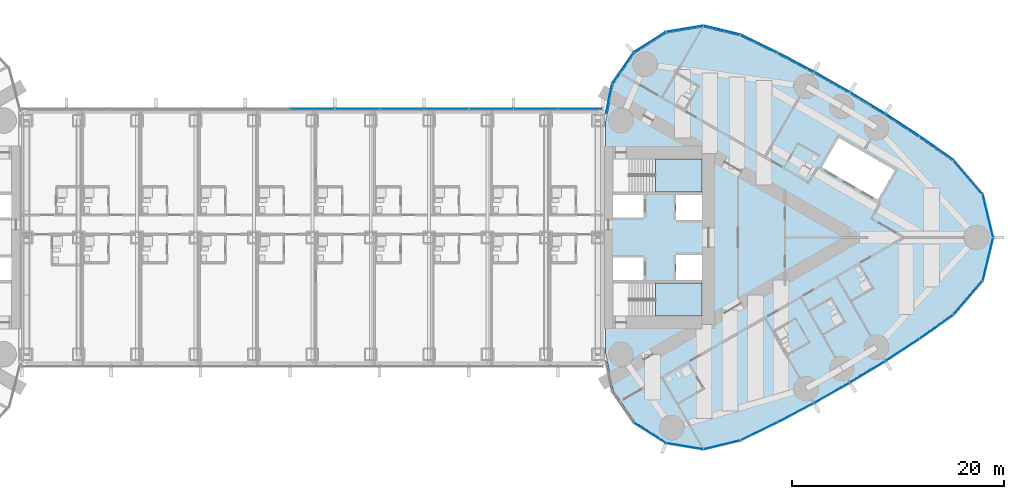
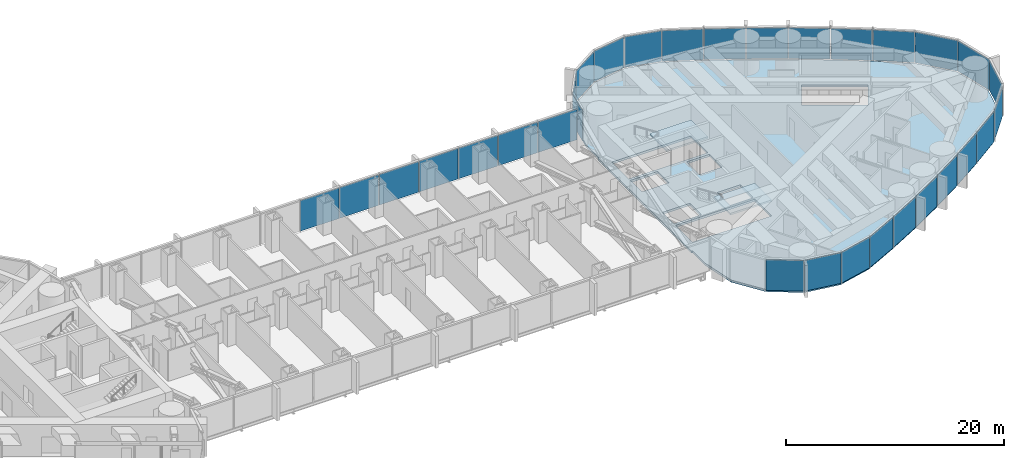
# One storey, part 13 of 23: 31 plates, 3 slabs, 4 elements without a shape of their own.
"""IFC4 building model written with IfcOpenShell, lengths in metres."""

from ifc_helpers import new_model, si_unit, direction, frame, origin, origin_2d, place, context, subcontext, project, spatial, polyline, rectangle, outline, extrude, material, layer, layer_set, type_object, element, aggregate, save


model = new_model("IFC4")

# Units and contexts
model_context = context("Model", 3, precision=1e-05, world=origin(), true_north=direction((0.0, 1.0)))
body_context = subcontext(model_context, "Body", "Model", "MODEL_VIEW")
ifc_project = project(units=[si_unit("LENGTHUNIT", "METRE"), si_unit("AREAUNIT", "SQUARE_METRE"), si_unit("VOLUMEUNIT", "CUBIC_METRE"), si_unit("PLANEANGLEUNIT", "RADIAN"), si_unit("MASSUNIT", "GRAM", prefix="KILO")], contexts=[model_context])

# Site, building, storey
site_placement = place(None, origin())
site = spatial("IfcSite", under=ifc_project, at=site_placement, CompositionType="ELEMENT")
building_placement = place(site_placement, origin())
building = spatial("IfcBuilding", under=site, at=building_placement, Name="Lancet Gate Hotel", CompositionType="ELEMENT")
storey_placement = place(building_placement, frame((0.0, 0.0, 215.300048828125)))
storey = spatial("IfcBuildingStorey", under=building, at=storey_placement, Name="L57", CompositionType="ELEMENT", Elevation=215.300048828125)

# Curtain wall, plates
ifc_material_1 = material(Name="Aluminium curtain wall", Category="aluminium")
curtain_wall_type_1 = type_object("IfcCurtainWallType", Name="Bridge block curtain wall", PredefinedType="USERDEFINED", material=ifc_material_1)
curtain_wall_1_placement = place(storey_placement, origin())
curtain_wall_1 = element("IfcCurtainWall", 1, at=curtain_wall_1_placement, inside=storey, type_object=curtain_wall_type_1, Name="Bridge block L57 curtain wall N", ObjectType="UNITISED CURTAIN WALL", PredefinedType="USERDEFINED")
ifc_material_2 = material(Name="Glass double glazed unit 8-16-6", Category="glass")
ifc_layer_1 = layer(ifc_material_2, 0.030029296875)
ifc_layer_set_1 = layer_set([ifc_layer_1], Name="Block vision panel")
plate_type_1 = type_object("IfcPlateType", Name="Block vision panel", PredefinedType="CURTAIN_PANEL", material=ifc_layer_set_1)
plate_1_placement = place(storey_placement, frame((25.24609375, 12.1201171875, 0.0), z_axis=(0.0, 0.0, 1.0), x_axis=(-1.0, 0.0, 0.0)))
plate_1 = element("IfcPlate", 2, at=plate_1_placement, type_object=plate_type_1, Name="Bridge block L57 curtain wall N panel 1", PredefinedType="CURTAIN_PANEL", context=body_context, shape_type="SweptSolid", body=[
    extrude(rectangle(XDim=4.142578125, YDim=0.030029296875, at=origin_2d()), origin(), (0.0, 0.0, 1.0), 3.449951171875),
])
plate_2_placement = place(storey_placement, frame((21.03857421875, 12.1201171875, 0.0), z_axis=(0.0, 0.0, 1.0), x_axis=(-1.0, 0.0, 0.0)))
plate_2 = element("IfcPlate", 3, at=plate_2_placement, type_object=plate_type_1, Name="Bridge block L57 curtain wall N panel 2", PredefinedType="CURTAIN_PANEL", context=body_context, shape_type="SweptSolid", body=[
    extrude(rectangle(XDim=4.142578125, YDim=0.030029296875, at=origin_2d()), origin(), (0.0, 0.0, 1.0), 3.449951171875),
])
plate_3_placement = place(storey_placement, frame((16.830810546875, 12.1201171875, 0.0), z_axis=(0.0, 0.0, 1.0), x_axis=(-1.0, 0.0, 0.0)))
plate_3 = element("IfcPlate", 4, at=plate_3_placement, type_object=plate_type_1, Name="Bridge block L57 curtain wall N panel 3", PredefinedType="CURTAIN_PANEL", context=body_context, shape_type="SweptSolid", body=[
    extrude(rectangle(XDim=4.142578125, YDim=0.030029296875, at=origin_2d()), origin(), (0.0, 0.0, 1.0), 3.449951171875),
])
plate_4_placement = place(storey_placement, frame((12.623046875, 12.1201171875, 0.0), z_axis=(0.0, 0.0, 1.0), x_axis=(-1.0, 0.0, 0.0)))
plate_4 = element("IfcPlate", 5, at=plate_4_placement, type_object=plate_type_1, Name="Bridge block L57 curtain wall N panel 4", PredefinedType="CURTAIN_PANEL", context=body_context, shape_type="SweptSolid", body=[
    extrude(rectangle(XDim=4.142578125, YDim=0.030029296875, at=origin_2d()), origin(), (0.0, 0.0, 1.0), 3.449951171875),
])
plate_5_placement = place(storey_placement, frame((8.415283203125, 12.1201171875, 0.0), z_axis=(0.0, 0.0, 1.0), x_axis=(-1.0, 0.0, 0.0)))
plate_5 = element("IfcPlate", 6, at=plate_5_placement, type_object=plate_type_1, Name="Bridge block L57 curtain wall N panel 5", PredefinedType="CURTAIN_PANEL", context=body_context, shape_type="SweptSolid", body=[
    extrude(rectangle(XDim=4.142578125, YDim=0.030029296875, at=origin_2d()), origin(), (0.0, 0.0, 1.0), 3.449951171875),
])
plate_6_placement = place(storey_placement, frame((4.207763671875, 12.1201171875, 0.0), z_axis=(0.0, 0.0, 1.0), x_axis=(-1.0, 0.0, 0.0)))
plate_6 = element("IfcPlate", 7, at=plate_6_placement, type_object=plate_type_1, Name="Bridge block L57 curtain wall N panel 6", PredefinedType="CURTAIN_PANEL", context=body_context, shape_type="SweptSolid", body=[
    extrude(rectangle(XDim=4.142578125, YDim=0.030029296875, at=origin_2d()), origin(), (0.0, 0.0, 1.0), 3.449951171875),
])
plate_7_placement = place(storey_placement, frame((0.0, 12.1201171875, 0.0), z_axis=(0.0, 0.0, 1.0), x_axis=(-1.0, 0.0, 0.0)))
plate_7 = element("IfcPlate", 8, at=plate_7_placement, type_object=plate_type_1, Name="Bridge block L57 curtain wall N panel 7", PredefinedType="CURTAIN_PANEL", context=body_context, shape_type="SweptSolid", body=[
    extrude(rectangle(XDim=4.142578125, YDim=0.030029296875, at=origin_2d()), origin(), (0.0, 0.0, 1.0), 3.449951171875),
])
aggregate(curtain_wall_1, [plate_1, plate_2, plate_3, plate_4, plate_5, plate_6, plate_7])

# Slab
ifc_material_3 = material(Name="Concrete C50/60", Category="concrete")
ifc_layer_2 = layer(ifc_material_3, 0.25)
ifc_layer_set_2 = layer_set([ifc_layer_2], Name="Floor slab 250")
slab_type_1 = type_object("IfcSlabType", Name="Floor slab 250", PredefinedType="FLOOR", material=ifc_layer_set_2)
slab_1_placement = place(storey_placement, frame((0.0, 0.0, -0.25)))
element("IfcSlab", 9, at=slab_1_placement, inside=storey, type_object=slab_type_1, Name="T2 L57 floor slab", PredefinedType="FLOOR", context=body_context, shape_type="SweptSolid", body=[
    extrude(outline(polyline([(27.5, -8.60009765625), (27.6201171875, -8.60009765625), (27.6201171875, -10.93603515625), (28.329345703125, -14.419677734375), (30.33740234375, -17.338134765625), (33.326904296875, -19.2392578125), (36.82177734375, -19.81982421875), (40.2763671875, -18.98486328125), (43.753662109375, -17.2890625), (47.18603515625, -15.47998046875), (50.5595703125, -13.56396484375), (53.87158203125, -11.54296875), (57.118408203125, -9.4189453125), (60.2861328125, -7.20166015625), (62.99658203125, -4.03759765625), (63.968017578125, 0.0), (62.99658203125, 4.03759765625), (60.2861328125, 7.20166015625), (57.118408203125, 9.4189453125), (53.87158203125, 11.54296875), (50.5595703125, 13.56396484375), (47.18603515625, 15.47998046875), (43.753662109375, 17.2890625), (40.2763671875, 18.98486328125), (36.82177734375, 19.81982421875), (33.326904296875, 19.2392578125), (30.33740234375, 17.338134765625), (28.329345703125, 14.419677734375), (27.6201171875, 10.93603515625), (27.6201171875, 8.60009765625), (27.5, 8.60009765625), (27.5, 8.199951171875), (27.5, -8.199951171875), (27.5, -8.60009765625)]), holes=[polyline([(36.699951171875, -7.39990234375), (36.699951171875, -4.300048828125), (28.300048828125, -4.300048828125), (28.300048828125, -7.39990234375), (36.699951171875, -7.39990234375)]), polyline([(28.300048828125, -4.0), (31.199951171875, -4.0), (31.199951171875, -1.89990234375), (28.300048828125, -1.89990234375), (28.300048828125, -4.0)]), polyline([(34.25, -4.0), (36.699951171875, -4.0), (36.699951171875, -1.64990234375), (34.25, -1.64990234375), (34.25, -4.0)]), polyline([(36.699951171875, 1.64990234375), (36.699951171875, 4.0), (34.25, 4.0), (34.25, 1.64990234375), (36.699951171875, 1.64990234375)]), polyline([(28.300048828125, 1.89990234375), (31.199951171875, 1.89990234375), (31.199951171875, 4.0), (28.300048828125, 4.0), (28.300048828125, 1.89990234375)]), polyline([(28.300048828125, 4.300048828125), (36.699951171875, 4.300048828125), (36.699951171875, 7.39990234375), (28.300048828125, 7.39990234375), (28.300048828125, 4.300048828125)]), polyline([(53.242919921875, 3.555908203125), (54.843017578125, 6.326904296875), (49.56103515625, 9.376953125), (47.9609375, 6.60595703125), (53.242919921875, 3.555908203125)])]), origin(), (0.0, 0.0, 1.0), 0.25),
])

# Stair, slab
ifc_material_4 = material(Name="Exit stair 20 risers 1500")
stair_type = type_object("IfcStairType", Name="Exit stair 20 risers 1500", PredefinedType="HALF_TURN_STAIR", material=ifc_material_4)
stair_1_placement = place(storey_placement, origin())
stair_1 = element("IfcStair", 10, at=stair_1_placement, inside=storey, type_object=stair_type, Name="T2 stair 1 L57", PredefinedType="HALF_TURN_STAIR")
ifc_material_5 = material(Name="Concrete C40/50", Category="concrete")
ifc_layer_3 = layer(ifc_material_5, 0.199951171875)
ifc_layer_set_3 = layer_set([ifc_layer_3], Name="Stair landing 200")
slab_type_2 = type_object("IfcSlabType", Name="Stair landing 200", PredefinedType="LANDING", material=ifc_layer_set_3)
slab_2_placement = place(storey_placement, frame((0.0, 0.0, 1.599853515625)))
slab_2 = element("IfcSlab", 11, at=slab_2_placement, type_object=slab_type_2, Name="ST3 landing 2", PredefinedType="LANDING", context=body_context, shape_type="SweptSolid", body=[
    extrude(outline(polyline([(32.320068359375, -7.39990234375), (36.699951171875, -7.39990234375), (36.699951171875, -4.300048828125), (32.320068359375, -4.300048828125), (32.320068359375, -7.39990234375)])), origin(), (0.0, 0.0, 1.0), 0.2001953125),
])
aggregate(stair_1, [slab_2])

stair_2_placement = place(storey_placement, origin())
stair_2 = element("IfcStair", 12, at=stair_2_placement, inside=storey, type_object=stair_type, Name="T2 stair 2 L57", PredefinedType="HALF_TURN_STAIR")
slab_3_placement = place(storey_placement, frame((0.0, 0.0, 1.599853515625)))
slab_3 = element("IfcSlab", 13, at=slab_3_placement, type_object=slab_type_2, Name="ST4 landing 2", PredefinedType="LANDING", context=body_context, shape_type="SweptSolid", body=[
    extrude(outline(polyline([(32.320068359375, 4.300048828125), (36.699951171875, 4.300048828125), (36.699951171875, 7.39990234375), (32.320068359375, 7.39990234375), (32.320068359375, 4.300048828125)])), origin(), (0.0, 0.0, 1.0), 0.2001953125),
])
aggregate(stair_2, [slab_3])

# Curtain wall, plates
ifc_material_6 = material(Name="Aluminium curtain wall", Category="aluminium")
curtain_wall_type_2 = type_object("IfcCurtainWallType", Name="Tower unitised curtain wall", PredefinedType="USERDEFINED", material=ifc_material_6)
curtain_wall_2_placement = place(storey_placement, origin())
curtain_wall_2 = element("IfcCurtainWall", 14, at=curtain_wall_2_placement, inside=storey, type_object=curtain_wall_type_2, Name="T2 L57 curtain wall 1", ObjectType="UNITISED CURTAIN WALL", PredefinedType="USERDEFINED")
ifc_material_7 = material(Name="Glass double glazed unit 8-16-6", Category="glass")
ifc_layer_4 = layer(ifc_material_7, 0.030029296875)
ifc_layer_set_4 = layer_set([ifc_layer_4], Name="Vision panel double glazed")
plate_type_2 = type_object("IfcPlateType", Name="Vision panel double glazed", PredefinedType="CURTAIN_PANEL", material=ifc_layer_set_4)
plate_8_placement = place(storey_placement, frame((31.767822265625, -18.389892578125, 0.0), z_axis=(0.0, 0.0, 1.0), x_axis=(0.843845020422, -0.536586974785, 0.0)))
plate_8 = element("IfcPlate", 15, at=plate_8_placement, type_object=plate_type_2, Name="T2 L57 curtain wall 1 panel 3", PredefinedType="CURTAIN_PANEL", context=body_context, shape_type="SweptSolid", body=[
    extrude(rectangle(XDim=3.526611328125, YDim=0.030029296875, at=origin_2d()), origin(), (0.0, 0.0, 1.0), 3.449951171875),
])
plate_9_placement = place(storey_placement, frame((35.0546875, -19.64794921875, 0.0), z_axis=(0.0, 0.0, 1.0), x_axis=(0.986480101775, -0.163881081283, 0.0)))
plate_9 = element("IfcPlate", 16, at=plate_9_placement, type_object=plate_type_2, Name="T2 L57 curtain wall 1 panel 4", PredefinedType="CURTAIN_PANEL", context=body_context, shape_type="SweptSolid", body=[
    extrude(rectangle(XDim=3.526611328125, YDim=0.030029296875, at=origin_2d()), origin(), (0.0, 0.0, 1.0), 3.449951171875),
])
plate_10_placement = place(storey_placement, frame((38.57177734375, -19.520263671875, 0.0), z_axis=(0.0, 0.0, 1.0), x_axis=(0.972013837597, 0.234923603582, 0.0)))
plate_10 = element("IfcPlate", 17, at=plate_10_placement, type_object=plate_type_2, Name="T2 L57 curtain wall 1 panel 5", PredefinedType="CURTAIN_PANEL", context=body_context, shape_type="SweptSolid", body=[
    extrude(rectangle(XDim=3.526611328125, YDim=0.030029296875, at=origin_2d()), origin(), (0.0, 0.0, 1.0), 3.449951171875),
])
plate_11_placement = place(storey_placement, frame((42.062744140625, -18.247314453125, 0.0), z_axis=(0.0, 0.0, 1.0), x_axis=(0.898823462202, 0.438310830114, 0.0)))
plate_11 = element("IfcPlate", 18, at=plate_11_placement, type_object=plate_type_2, Name="T2 L57 curtain wall 1 panel 6", PredefinedType="CURTAIN_PANEL", context=body_context, shape_type="SweptSolid", body=[
    extrude(rectangle(XDim=3.818603515625, YDim=0.030029296875, at=origin_2d()), origin(), (0.0, 0.0, 1.0), 3.449951171875),
])
plate_12_placement = place(storey_placement, frame((45.52587890625, -16.49072265625, 0.0), z_axis=(0.0, 0.0, 1.0), x_axis=(0.884622760861, 0.466307378204, 0.0)))
plate_12 = element("IfcPlate", 19, at=plate_12_placement, type_object=plate_type_2, Name="T2 L57 curtain wall 1 panel 7", PredefinedType="CURTAIN_PANEL", context=body_context, shape_type="SweptSolid", body=[
    extrude(rectangle(XDim=3.818603515625, YDim=0.030029296875, at=origin_2d()), origin(), (0.0, 0.0, 1.0), 3.449951171875),
])
plate_13_placement = place(storey_placement, frame((48.93212890625, -14.626220703125, 0.0), z_axis=(0.0, 0.0, 1.0), x_axis=(0.869550293306, 0.493844395951, 0.0)))
plate_13 = element("IfcPlate", 20, at=plate_13_placement, type_object=plate_type_2, Name="T2 L57 curtain wall 1 panel 8", PredefinedType="CURTAIN_PANEL", context=body_context, shape_type="SweptSolid", body=[
    extrude(rectangle(XDim=3.818603515625, YDim=0.030029296875, at=origin_2d()), origin(), (0.0, 0.0, 1.0), 3.449951171875),
])
plate_14_placement = place(storey_placement, frame((52.278076171875, -12.65576171875, 0.0), z_axis=(0.0, 0.0, 1.0), x_axis=(0.853620912967, 0.520894746513, 0.0)))
plate_14 = element("IfcPlate", 21, at=plate_14_placement, type_object=plate_type_2, Name="T2 L57 curtain wall 1 panel 9", PredefinedType="CURTAIN_PANEL", context=body_context, shape_type="SweptSolid", body=[
    extrude(rectangle(XDim=3.818603515625, YDim=0.030029296875, at=origin_2d()), origin(), (0.0, 0.0, 1.0), 3.449951171875),
])
plate_15_placement = place(storey_placement, frame((55.560791015625, -10.581298828125, 0.0), z_axis=(0.0, 0.0, 1.0), x_axis=(0.83685031771, 0.547431772688, 0.0)))
plate_15 = element("IfcPlate", 22, at=plate_15_placement, type_object=plate_type_2, Name="T2 L57 curtain wall 1 panel 10", PredefinedType="CURTAIN_PANEL", context=body_context, shape_type="SweptSolid", body=[
    extrude(rectangle(XDim=3.818603515625, YDim=0.030029296875, at=origin_2d()), origin(), (0.0, 0.0, 1.0), 3.449951171875),
])
plate_16_placement = place(storey_placement, frame((58.776611328125, -8.40478515625, 0.0), z_axis=(0.0, 0.0, 1.0), x_axis=(0.819255034386, 0.573429323137, 0.0)))
plate_16 = element("IfcPlate", 23, at=plate_16_placement, type_object=plate_type_2, Name="T2 L57 curtain wall 1 panel 11", PredefinedType="CURTAIN_PANEL", context=body_context, shape_type="SweptSolid", body=[
    extrude(rectangle(XDim=3.818603515625, YDim=0.030029296875, at=origin_2d()), origin(), (0.0, 0.0, 1.0), 3.449951171875),
])
plate_17_placement = place(storey_placement, frame((61.737060546875, -5.692626953125, 0.0), z_axis=(0.0, 0.0, 1.0), x_axis=(0.650551562434, 0.759462088991, 0.0)))
plate_17 = element("IfcPlate", 24, at=plate_17_placement, type_object=plate_type_2, Name="T2 L57 curtain wall 1 panel 12", PredefinedType="CURTAIN_PANEL", context=body_context, shape_type="SweptSolid", body=[
    extrude(rectangle(XDim=4.1455078125, YDim=0.030029296875, at=origin_2d()), origin(), (0.0, 0.0, 1.0), 3.449951171875),
])
plate_18_placement = place(storey_placement, frame((63.598876953125, -2.046875, 0.0), z_axis=(0.0, 0.0, 1.0), x_axis=(0.233916001796, 0.972256809749, 0.0)))
plate_18 = element("IfcPlate", 25, at=plate_18_placement, type_object=plate_type_2, Name="T2 L57 curtain wall 1 panel 13", PredefinedType="CURTAIN_PANEL", context=body_context, shape_type="SweptSolid", body=[
    extrude(rectangle(XDim=4.1455078125, YDim=0.030029296875, at=origin_2d()), origin(), (0.0, 0.0, 1.0), 3.449951171875),
])
plate_19_placement = place(storey_placement, frame((63.598876953125, 2.046875, 0.0), z_axis=(0.0, 0.0, 1.0), x_axis=(-0.233916001796, 0.972256809749, 0.0)))
plate_19 = element("IfcPlate", 26, at=plate_19_placement, type_object=plate_type_2, Name="T2 L57 curtain wall 1 panel 14", PredefinedType="CURTAIN_PANEL", context=body_context, shape_type="SweptSolid", body=[
    extrude(rectangle(XDim=4.1455078125, YDim=0.030029296875, at=origin_2d()), origin(), (0.0, 0.0, 1.0), 3.449951171875),
])
plate_20_placement = place(storey_placement, frame((61.737060546875, 5.692626953125, 0.0), z_axis=(0.0, 0.0, 1.0), x_axis=(-0.650551562434, 0.759462088991, 0.0)))
plate_20 = element("IfcPlate", 27, at=plate_20_placement, type_object=plate_type_2, Name="T2 L57 curtain wall 1 panel 15", PredefinedType="CURTAIN_PANEL", context=body_context, shape_type="SweptSolid", body=[
    extrude(rectangle(XDim=4.1455078125, YDim=0.030029296875, at=origin_2d()), origin(), (0.0, 0.0, 1.0), 3.449951171875),
])
plate_21_placement = place(storey_placement, frame((58.776611328125, 8.40478515625, 0.0), z_axis=(0.0, 0.0, 1.0), x_axis=(-0.819255034386, 0.573429323137, 0.0)))
plate_21 = element("IfcPlate", 28, at=plate_21_placement, type_object=plate_type_2, Name="T2 L57 curtain wall 1 panel 16", PredefinedType="CURTAIN_PANEL", context=body_context, shape_type="SweptSolid", body=[
    extrude(rectangle(XDim=3.818603515625, YDim=0.030029296875, at=origin_2d()), origin(), (0.0, 0.0, 1.0), 3.449951171875),
])
plate_22_placement = place(storey_placement, frame((55.560791015625, 10.581298828125, 0.0), z_axis=(0.0, 0.0, 1.0), x_axis=(-0.83685031771, 0.547431772688, 0.0)))
plate_22 = element("IfcPlate", 29, at=plate_22_placement, type_object=plate_type_2, Name="T2 L57 curtain wall 1 panel 17", PredefinedType="CURTAIN_PANEL", context=body_context, shape_type="SweptSolid", body=[
    extrude(rectangle(XDim=3.818603515625, YDim=0.030029296875, at=origin_2d()), origin(), (0.0, 0.0, 1.0), 3.449951171875),
])
plate_23_placement = place(storey_placement, frame((52.278076171875, 12.65576171875, 0.0), z_axis=(0.0, 0.0, 1.0), x_axis=(-0.853620912967, 0.520894746513, 0.0)))
plate_23 = element("IfcPlate", 30, at=plate_23_placement, type_object=plate_type_2, Name="T2 L57 curtain wall 1 panel 18", PredefinedType="CURTAIN_PANEL", context=body_context, shape_type="SweptSolid", body=[
    extrude(rectangle(XDim=3.818603515625, YDim=0.030029296875, at=origin_2d()), origin(), (0.0, 0.0, 1.0), 3.449951171875),
])
plate_24_placement = place(storey_placement, frame((48.93212890625, 14.626220703125, 0.0), z_axis=(0.0, 0.0, 1.0), x_axis=(-0.869550293306, 0.493844395951, 0.0)))
plate_24 = element("IfcPlate", 31, at=plate_24_placement, type_object=plate_type_2, Name="T2 L57 curtain wall 1 panel 19", PredefinedType="CURTAIN_PANEL", context=body_context, shape_type="SweptSolid", body=[
    extrude(rectangle(XDim=3.818603515625, YDim=0.030029296875, at=origin_2d()), origin(), (0.0, 0.0, 1.0), 3.449951171875),
])
plate_25_placement = place(storey_placement, frame((45.52587890625, 16.49072265625, 0.0), z_axis=(0.0, 0.0, 1.0), x_axis=(-0.884622760861, 0.466307378204, 0.0)))
plate_25 = element("IfcPlate", 32, at=plate_25_placement, type_object=plate_type_2, Name="T2 L57 curtain wall 1 panel 20", PredefinedType="CURTAIN_PANEL", context=body_context, shape_type="SweptSolid", body=[
    extrude(rectangle(XDim=3.818603515625, YDim=0.030029296875, at=origin_2d()), origin(), (0.0, 0.0, 1.0), 3.449951171875),
])
plate_26_placement = place(storey_placement, frame((42.062744140625, 18.247314453125, 0.0), z_axis=(0.0, 0.0, 1.0), x_axis=(-0.898823462202, 0.438310830114, 0.0)))
plate_26 = element("IfcPlate", 33, at=plate_26_placement, type_object=plate_type_2, Name="T2 L57 curtain wall 1 panel 21", PredefinedType="CURTAIN_PANEL", context=body_context, shape_type="SweptSolid", body=[
    extrude(rectangle(XDim=3.818603515625, YDim=0.030029296875, at=origin_2d()), origin(), (0.0, 0.0, 1.0), 3.449951171875),
])
plate_27_placement = place(storey_placement, frame((38.57177734375, 19.520263671875, 0.0), z_axis=(0.0, 0.0, 1.0), x_axis=(-0.972013837597, 0.234923603582, 0.0)))
plate_27 = element("IfcPlate", 34, at=plate_27_placement, type_object=plate_type_2, Name="T2 L57 curtain wall 1 panel 22", PredefinedType="CURTAIN_PANEL", context=body_context, shape_type="SweptSolid", body=[
    extrude(rectangle(XDim=3.526611328125, YDim=0.030029296875, at=origin_2d()), origin(), (0.0, 0.0, 1.0), 3.449951171875),
])
plate_28_placement = place(storey_placement, frame((35.0546875, 19.64794921875, 0.0), z_axis=(0.0, 0.0, 1.0), x_axis=(-0.986480101775, -0.163881081283, 0.0)))
plate_28 = element("IfcPlate", 35, at=plate_28_placement, type_object=plate_type_2, Name="T2 L57 curtain wall 1 panel 23", PredefinedType="CURTAIN_PANEL", context=body_context, shape_type="SweptSolid", body=[
    extrude(rectangle(XDim=3.526611328125, YDim=0.030029296875, at=origin_2d()), origin(), (0.0, 0.0, 1.0), 3.449951171875),
])
plate_29_placement = place(storey_placement, frame((31.767822265625, 18.389892578125, 0.0), z_axis=(0.0, 0.0, 1.0), x_axis=(-0.843845020422, -0.536586974785, 0.0)))
plate_29 = element("IfcPlate", 36, at=plate_29_placement, type_object=plate_type_2, Name="T2 L57 curtain wall 1 panel 24", PredefinedType="CURTAIN_PANEL", context=body_context, shape_type="SweptSolid", body=[
    extrude(rectangle(XDim=3.526611328125, YDim=0.030029296875, at=origin_2d()), origin(), (0.0, 0.0, 1.0), 3.449951171875),
])
plate_30_placement = place(storey_placement, frame((29.234619140625, 15.947021484375, 0.0), z_axis=(0.0, 0.0, 1.0), x_axis=(-0.566823864908, -0.823839005007, 0.0)))
plate_30 = element("IfcPlate", 37, at=plate_30_placement, type_object=plate_type_2, Name="T2 L57 curtain wall 1 panel 25", PredefinedType="CURTAIN_PANEL", context=body_context, shape_type="SweptSolid", body=[
    extrude(rectangle(XDim=3.526611328125, YDim=0.030029296875, at=origin_2d()), origin(), (0.0, 0.0, 1.0), 3.449951171875),
])
plate_31_placement = place(storey_placement, frame((27.92724609375, 13.046142578125, 0.0), z_axis=(0.0, 0.0, 1.0), x_axis=(-0.199533486841, -0.979891008036, 0.0)))
plate_31 = element("IfcPlate", 38, at=plate_31_placement, type_object=plate_type_2, Name="T2 L57 curtain wall 1 panel 26", PredefinedType="CURTAIN_PANEL", context=body_context, shape_type="SweptSolid", body=[
    extrude(rectangle(XDim=2.8359375, YDim=0.030029296875, at=origin_2d()), origin(), (0.0, 0.0, 1.0), 3.449951171875),
])
aggregate(curtain_wall_2, [plate_8, plate_9, plate_10, plate_11, plate_12, plate_13, plate_14, plate_15, plate_16, plate_17, plate_18, plate_19, plate_20, plate_21, plate_22, plate_23, plate_24, plate_25, plate_26, plate_27, plate_28, plate_29, plate_30, plate_31])

save(model, "model.ifc")
